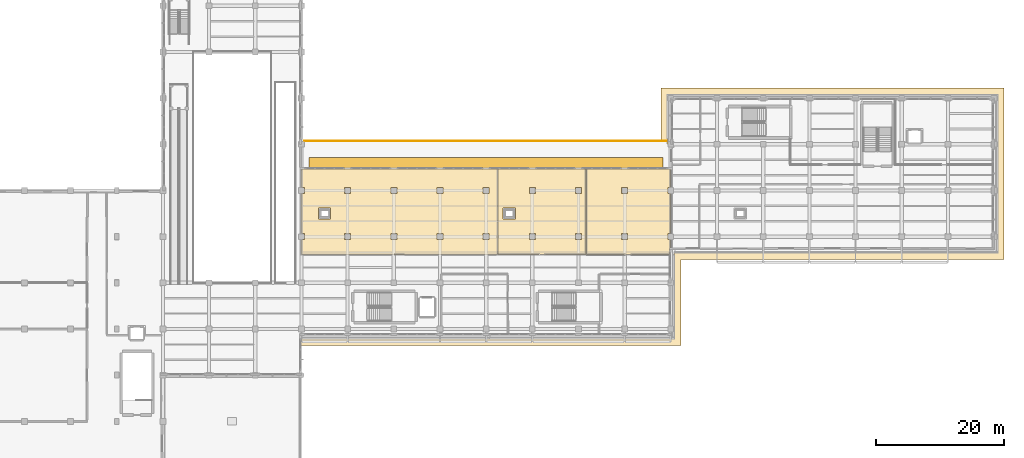
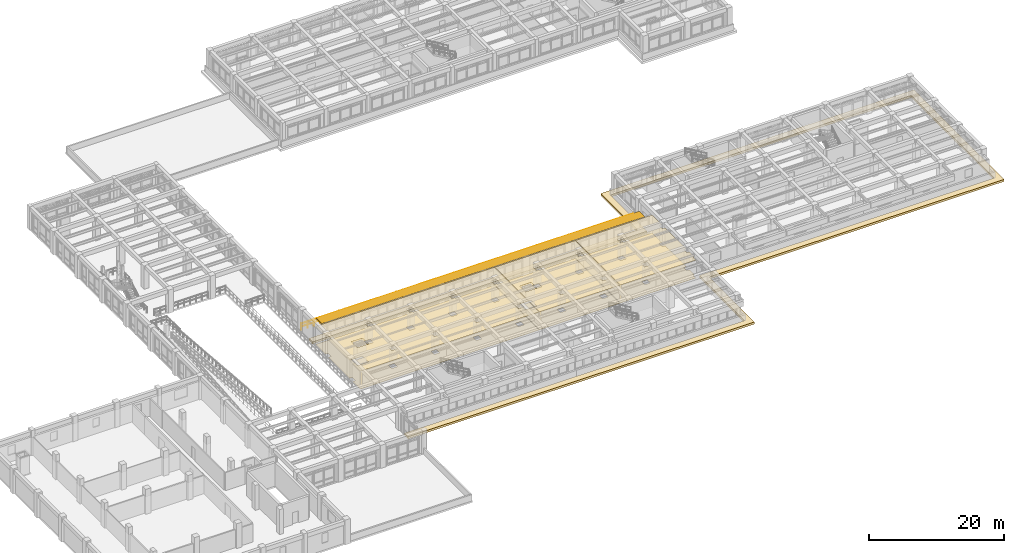
# One storey, part 62 of 69: 7 coverings, 1 railing, 1 shading device.
"""IFC4 building model written with IfcOpenShell, lengths in metres."""

from ifc_helpers import new_model, si_unit, direction, frame, origin, origin_2d, place, context, subcontext, project, spatial, polyline, rectangle, circle, outline, extrude, material, layer, layer_set, type_object, element, save


model = new_model("IFC4")

# Units and contexts
model_context = context("Model", 3, precision=1e-05, world=origin(), true_north=direction((0.0, 1.0)))
body_context = subcontext(model_context, "Body", "Model", "MODEL_VIEW")
ifc_project = project(units=[si_unit("LENGTHUNIT", "METRE"), si_unit("AREAUNIT", "SQUARE_METRE"), si_unit("VOLUMEUNIT", "CUBIC_METRE"), si_unit("PLANEANGLEUNIT", "RADIAN"), si_unit("MASSUNIT", "GRAM", prefix="KILO")], contexts=[model_context])

# Site, building, storey
site_placement = place(None, origin())
site = spatial("IfcSite", under=ifc_project, at=site_placement, CompositionType="ELEMENT")
building_placement = place(site_placement, origin())
building = spatial("IfcBuilding", under=site, at=building_placement, Name="Solenvale Faculty of Natural Sciences", CompositionType="ELEMENT")
storey_placement = place(building_placement, frame((0.0, 0.0, 4.5)))
storey = spatial("IfcBuildingStorey", under=building, at=storey_placement, Name="L01", CompositionType="ELEMENT", Elevation=4.5)

# Coverings
ifc_material_1 = material(Name="Acoustic mineral-timber ceiling", Category="wood")
ifc_layer_1 = layer(ifc_material_1, 0.02490234375)
ifc_layer_set_1 = layer_set([ifc_layer_1], Name="Acoustic mineral-timber ceiling")
covering_type_1 = type_object("IfcCoveringType", Name="COV-CEIL-AC25", PredefinedType="CEILING", material=ifc_layer_set_1)
covering_1_placement = place(storey_placement, frame((0.0, 0.0, 3.235107421875)))
element("IfcCovering", 1, at=covering_1_placement, inside=storey, type_object=covering_type_1, Name="L01 Microbiology Teaching Laboratory Acoustic Ceiling", PredefinedType="CEILING", context=body_context, shape_type="SweptSolid", body=[
    extrude(outline(polyline([(88.14990234375, 46.56005859375), (88.1708984375, 46.551025390625), (88.179931640625, 46.530029296875), (88.179931640625, 33.27001953125), (88.160888671875, 33.241943359375), (57.669921875, 33.239990234375), (57.64208984375, 33.259033203125), (57.64111328125, 35.5009765625), (57.6669921875, 35.52490234375), (58.06396484375, 35.52490234375), (58.074951171875, 35.535888671875), (58.073974609375, 36.468994140625), (57.6669921875, 36.47509765625), (57.639892578125, 36.5048828125), (57.639892578125, 42.697998046875), (57.6669921875, 42.72509765625), (58.06396484375, 42.72509765625), (58.074951171875, 42.736083984375), (58.073974609375, 43.6689453125), (57.6669921875, 43.675048828125), (57.639892578125, 43.701904296875), (57.639892578125, 46.530029296875), (57.658935546875, 46.55810546875), (88.14990234375, 46.56005859375)]), holes=[polyline([(85.93603515625, 36.47509765625), (85.925048828125, 36.464111328125), (85.927978515625, 35.528076171875), (86.8720703125, 35.528076171875), (86.8720703125, 36.471923828125), (85.93603515625, 36.47509765625)]), polyline([(85.93603515625, 43.675048828125), (85.925048828125, 43.6640625), (85.927978515625, 42.72802734375), (86.8720703125, 42.72802734375), (86.8720703125, 43.672119140625), (85.93603515625, 43.675048828125)]), polyline([(79.675048828125, 36.464111328125), (79.6640625, 36.47509765625), (78.72802734375, 36.471923828125), (78.72802734375, 35.528076171875), (79.672119140625, 35.528076171875), (79.675048828125, 36.464111328125)]), polyline([(79.675048828125, 43.6640625), (79.6640625, 43.675048828125), (78.72802734375, 43.672119140625), (78.72802734375, 42.72802734375), (79.672119140625, 42.72802734375), (79.675048828125, 43.6640625)]), polyline([(71.535888671875, 43.675048828125), (71.52490234375, 43.6640625), (71.528076171875, 42.72802734375), (72.471923828125, 42.72802734375), (72.471923828125, 43.672119140625), (71.535888671875, 43.675048828125)]), polyline([(72.47509765625, 36.464111328125), (72.464111328125, 36.47509765625), (71.528076171875, 36.471923828125), (71.528076171875, 35.528076171875), (72.471923828125, 35.528076171875), (72.47509765625, 36.464111328125)]), polyline([(64.3359375, 36.47509765625), (64.324951171875, 36.464111328125), (64.327880859375, 35.528076171875), (65.27197265625, 35.528076171875), (65.27197265625, 36.471923828125), (64.3359375, 36.47509765625)]), polyline([(64.3359375, 43.675048828125), (64.324951171875, 43.6640625), (64.327880859375, 42.72802734375), (65.27197265625, 42.72802734375), (65.27197265625, 43.672119140625), (64.3359375, 43.675048828125)]), polyline([(62.132080078125, 38.739990234375), (62.152099609375, 38.75), (62.159912109375, 38.77001953125), (62.159912109375, 40.429931640625), (62.14990234375, 40.451904296875), (60.27001953125, 40.4599609375), (60.248046875, 40.449951171875), (60.239990234375, 38.77001953125), (60.25, 38.748046875), (62.132080078125, 38.739990234375)])]), origin(), (0.0, 0.0, 1.0), 0.02490234375),
])
covering_2_placement = place(storey_placement, frame((0.0, 0.0, 3.235107421875)))
element("IfcCovering", 2, at=covering_2_placement, inside=storey, type_object=covering_type_1, Name="L01 Graduate Research Office Acoustic Ceiling", PredefinedType="CEILING", context=body_context, shape_type="SweptSolid", body=[
    extrude(outline(polyline([(101.949951171875, 46.56005859375), (101.970947265625, 46.551025390625), (101.97998046875, 46.530029296875), (101.97998046875, 33.27001953125), (101.970947265625, 33.2490234375), (101.949951171875, 33.239990234375), (88.27001953125, 33.239990234375), (88.2490234375, 33.2490234375), (88.239990234375, 33.27001953125), (88.239990234375, 46.530029296875), (88.2490234375, 46.551025390625), (88.27001953125, 46.56005859375), (101.949951171875, 46.56005859375)]), holes=[polyline([(101.27490234375, 36.464111328125), (101.263916015625, 36.47509765625), (100.327880859375, 36.471923828125), (100.327880859375, 35.528076171875), (101.27197265625, 35.528076171875), (101.27490234375, 36.464111328125)]), polyline([(101.27490234375, 43.6640625), (101.263916015625, 43.675048828125), (100.327880859375, 43.672119140625), (100.327880859375, 42.72802734375), (101.27197265625, 42.72802734375), (101.27490234375, 43.6640625)]), polyline([(94.074951171875, 36.464111328125), (94.06396484375, 36.47509765625), (93.1279296875, 36.471923828125), (93.1279296875, 35.528076171875), (94.072021484375, 35.528076171875), (94.074951171875, 36.464111328125)]), polyline([(94.074951171875, 43.6640625), (94.06396484375, 43.675048828125), (93.1279296875, 43.672119140625), (93.1279296875, 42.72802734375), (94.072021484375, 42.72802734375), (94.074951171875, 43.6640625)]), polyline([(90.931884765625, 38.739990234375), (90.951904296875, 38.75), (90.9599609375, 38.77001953125), (90.9599609375, 40.429931640625), (90.949951171875, 40.451904296875), (89.070068359375, 40.4599609375), (89.048095703125, 40.449951171875), (89.0400390625, 38.77001953125), (89.050048828125, 38.748046875), (90.931884765625, 38.739990234375)])]), origin(), (0.0, 0.0, 1.0), 0.02490234375),
])
covering_3_placement = place(storey_placement, frame((0.0, 0.0, 3.235107421875)))
element("IfcCovering", 3, at=covering_3_placement, inside=storey, type_object=covering_type_1, Name="L01 Seminar Room Acoustic Ceiling", PredefinedType="CEILING", context=body_context, shape_type="SweptSolid", body=[
    extrude(outline(polyline([(115.155029296875, 34.236083984375), (115.0869140625, 34.2119140625), (115.030029296875, 34.169921875), (114.988037109375, 34.113037109375), (114.965087890625, 34.047119140625), (114.9599609375, 33.27001953125), (114.93310546875, 33.239990234375), (102.070068359375, 33.239990234375), (102.049072265625, 33.2490234375), (102.0400390625, 33.27001953125), (102.0400390625, 46.530029296875), (102.049072265625, 46.551025390625), (102.070068359375, 46.56005859375), (115.1298828125, 46.56005859375), (115.15087890625, 46.551025390625), (115.159912109375, 46.530029296875), (115.159912109375, 44.199951171875), (115.179931640625, 44.15087890625), (115.179931640625, 43.701904296875), (115.153076171875, 43.675048828125), (114.72607421875, 43.6689453125), (114.72509765625, 42.736083984375), (114.736083984375, 42.72509765625), (115.153076171875, 42.72509765625), (115.179931640625, 42.697998046875), (115.179931640625, 36.5048828125), (115.153076171875, 36.47509765625), (114.72607421875, 36.468994140625), (114.72509765625, 35.535888671875), (114.736083984375, 35.52490234375), (115.153076171875, 35.52490234375), (115.178955078125, 35.50390625), (115.179931640625, 34.264892578125), (115.155029296875, 34.236083984375)]), holes=[polyline([(108.47509765625, 36.464111328125), (108.464111328125, 36.47509765625), (107.528076171875, 36.471923828125), (107.528076171875, 35.528076171875), (108.471923828125, 35.528076171875), (108.47509765625, 36.464111328125)]), polyline([(108.47509765625, 43.6640625), (108.464111328125, 43.675048828125), (107.528076171875, 43.672119140625), (107.528076171875, 42.72802734375), (108.471923828125, 42.72802734375), (108.47509765625, 43.6640625)])]), origin(), (0.0, 0.0, 1.0), 0.02490234375),
])
ifc_material_2 = material(Name="Polished slate terrazzo flooring", Category="masonry")
ifc_layer_2 = layer(ifc_material_2, 0.01806640625)
ifc_layer_set_2 = layer_set([ifc_layer_2], Name="Polished slate terrazzo flooring")
covering_type_2 = type_object("IfcCoveringType", Name="COV-FLR-TRZ18", PredefinedType="FLOORING", material=ifc_layer_set_2)
covering_4_placement = place(storey_placement, origin())
element("IfcCovering", 4, at=covering_4_placement, inside=storey, type_object=covering_type_2, Name="L01 Graduate Research Office Floor Finish", PredefinedType="FLOORING", context=body_context, shape_type="SweptSolid", body=[
    extrude(outline(polyline([(101.949951171875, 46.56005859375), (101.970947265625, 46.551025390625), (101.97998046875, 46.530029296875), (101.97998046875, 33.27001953125), (101.970947265625, 33.2490234375), (101.949951171875, 33.239990234375), (88.27001953125, 33.239990234375), (88.2490234375, 33.2490234375), (88.239990234375, 33.27001953125), (88.239990234375, 46.530029296875), (88.2490234375, 46.551025390625), (88.27001953125, 46.56005859375), (101.949951171875, 46.56005859375)]), holes=[polyline([(101.27490234375, 36.464111328125), (101.263916015625, 36.47509765625), (100.327880859375, 36.471923828125), (100.327880859375, 35.528076171875), (101.27197265625, 35.528076171875), (101.27490234375, 36.464111328125)]), polyline([(101.27490234375, 43.6640625), (101.263916015625, 43.675048828125), (100.327880859375, 43.672119140625), (100.327880859375, 42.72802734375), (101.27197265625, 42.72802734375), (101.27490234375, 43.6640625)]), polyline([(94.074951171875, 36.464111328125), (94.06396484375, 36.47509765625), (93.1279296875, 36.471923828125), (93.1279296875, 35.528076171875), (94.072021484375, 35.528076171875), (94.074951171875, 36.464111328125)]), polyline([(94.074951171875, 43.6640625), (94.06396484375, 43.675048828125), (93.1279296875, 43.672119140625), (93.1279296875, 42.72802734375), (94.072021484375, 42.72802734375), (94.074951171875, 43.6640625)]), polyline([(90.931884765625, 38.739990234375), (90.951904296875, 38.75), (90.9599609375, 38.77001953125), (90.9599609375, 40.429931640625), (90.949951171875, 40.451904296875), (89.070068359375, 40.4599609375), (89.048095703125, 40.449951171875), (89.0400390625, 38.77001953125), (89.050048828125, 38.748046875), (90.931884765625, 38.739990234375)])]), origin(), (0.0, 0.0, 1.0), 0.01806640625),
])
covering_5_placement = place(storey_placement, origin())
element("IfcCovering", 5, at=covering_5_placement, inside=storey, type_object=covering_type_2, Name="L01 Seminar Room Floor Finish", PredefinedType="FLOORING", context=body_context, shape_type="SweptSolid", body=[
    extrude(outline(polyline([(115.155029296875, 34.236083984375), (115.0869140625, 34.2119140625), (115.030029296875, 34.169921875), (114.988037109375, 34.113037109375), (114.965087890625, 34.047119140625), (114.9599609375, 33.27001953125), (114.93310546875, 33.239990234375), (102.070068359375, 33.239990234375), (102.049072265625, 33.2490234375), (102.0400390625, 33.27001953125), (102.0400390625, 46.530029296875), (102.049072265625, 46.551025390625), (102.070068359375, 46.56005859375), (115.1298828125, 46.56005859375), (115.15087890625, 46.551025390625), (115.159912109375, 46.530029296875), (115.159912109375, 44.199951171875), (115.179931640625, 44.15087890625), (115.179931640625, 43.701904296875), (115.153076171875, 43.675048828125), (114.72607421875, 43.6689453125), (114.72509765625, 42.736083984375), (114.736083984375, 42.72509765625), (115.153076171875, 42.72509765625), (115.179931640625, 42.697998046875), (115.179931640625, 36.5048828125), (115.153076171875, 36.47509765625), (114.72607421875, 36.468994140625), (114.72509765625, 35.535888671875), (114.736083984375, 35.52490234375), (115.153076171875, 35.52490234375), (115.178955078125, 35.50390625), (115.179931640625, 34.264892578125), (115.155029296875, 34.236083984375)]), holes=[polyline([(108.47509765625, 36.464111328125), (108.464111328125, 36.47509765625), (107.528076171875, 36.471923828125), (107.528076171875, 35.528076171875), (108.471923828125, 35.528076171875), (108.47509765625, 36.464111328125)]), polyline([(108.47509765625, 43.6640625), (108.464111328125, 43.675048828125), (107.528076171875, 43.672119140625), (107.528076171875, 42.72802734375), (108.471923828125, 42.72802734375), (108.47509765625, 43.6640625)])]), origin(), (0.0, 0.0, 1.0), 0.01806640625),
])
ifc_material_3 = material(Name="Seamless laboratory vinyl flooring")
ifc_layer_3 = layer(ifc_material_3, 0.008056640625)
ifc_layer_set_3 = layer_set([ifc_layer_3], Name="Seamless laboratory vinyl flooring")
covering_type_3 = type_object("IfcCoveringType", Name="COV-FLR-VNL08", PredefinedType="FLOORING", material=ifc_layer_set_3)
covering_6_placement = place(storey_placement, origin())
element("IfcCovering", 6, at=covering_6_placement, inside=storey, type_object=covering_type_3, Name="L01 Microbiology Teaching Laboratory Floor Finish", PredefinedType="FLOORING", context=body_context, shape_type="SweptSolid", body=[
    extrude(outline(polyline([(88.14990234375, 46.56005859375), (88.1708984375, 46.551025390625), (88.179931640625, 46.530029296875), (88.179931640625, 33.27001953125), (88.160888671875, 33.241943359375), (57.669921875, 33.239990234375), (57.64208984375, 33.259033203125), (57.64111328125, 35.5009765625), (57.6669921875, 35.52490234375), (58.06396484375, 35.52490234375), (58.074951171875, 35.535888671875), (58.073974609375, 36.468994140625), (57.6669921875, 36.47509765625), (57.639892578125, 36.5048828125), (57.639892578125, 42.697998046875), (57.6669921875, 42.72509765625), (58.06396484375, 42.72509765625), (58.074951171875, 42.736083984375), (58.073974609375, 43.6689453125), (57.6669921875, 43.675048828125), (57.639892578125, 43.701904296875), (57.639892578125, 46.530029296875), (57.658935546875, 46.55810546875), (88.14990234375, 46.56005859375)]), holes=[polyline([(85.93603515625, 36.47509765625), (85.925048828125, 36.464111328125), (85.927978515625, 35.528076171875), (86.8720703125, 35.528076171875), (86.8720703125, 36.471923828125), (85.93603515625, 36.47509765625)]), polyline([(85.93603515625, 43.675048828125), (85.925048828125, 43.6640625), (85.927978515625, 42.72802734375), (86.8720703125, 42.72802734375), (86.8720703125, 43.672119140625), (85.93603515625, 43.675048828125)]), polyline([(79.675048828125, 36.464111328125), (79.6640625, 36.47509765625), (78.72802734375, 36.471923828125), (78.72802734375, 35.528076171875), (79.672119140625, 35.528076171875), (79.675048828125, 36.464111328125)]), polyline([(79.675048828125, 43.6640625), (79.6640625, 43.675048828125), (78.72802734375, 43.672119140625), (78.72802734375, 42.72802734375), (79.672119140625, 42.72802734375), (79.675048828125, 43.6640625)]), polyline([(71.535888671875, 43.675048828125), (71.52490234375, 43.6640625), (71.528076171875, 42.72802734375), (72.471923828125, 42.72802734375), (72.471923828125, 43.672119140625), (71.535888671875, 43.675048828125)]), polyline([(72.47509765625, 36.464111328125), (72.464111328125, 36.47509765625), (71.528076171875, 36.471923828125), (71.528076171875, 35.528076171875), (72.471923828125, 35.528076171875), (72.47509765625, 36.464111328125)]), polyline([(64.3359375, 36.47509765625), (64.324951171875, 36.464111328125), (64.327880859375, 35.528076171875), (65.27197265625, 35.528076171875), (65.27197265625, 36.471923828125), (64.3359375, 36.47509765625)]), polyline([(64.3359375, 43.675048828125), (64.324951171875, 43.6640625), (64.327880859375, 42.72802734375), (65.27197265625, 42.72802734375), (65.27197265625, 43.672119140625), (64.3359375, 43.675048828125)]), polyline([(62.132080078125, 38.739990234375), (62.152099609375, 38.75), (62.159912109375, 38.77001953125), (62.159912109375, 40.429931640625), (62.14990234375, 40.451904296875), (60.27001953125, 40.4599609375), (60.248046875, 40.449951171875), (60.239990234375, 38.77001953125), (60.25, 38.748046875), (62.132080078125, 38.739990234375)])]), origin(), (0.0, 0.0, 1.0), 0.008056640625),
])
ifc_material_4 = material(Name="Insulated EPDM roofing membrane")
ifc_layer_4 = layer(ifc_material_4, 0.06494140625)
ifc_layer_set_4 = layer_set([ifc_layer_4], Name="Insulated EPDM roofing membrane")
covering_type_4 = type_object("IfcCoveringType", Name="COV-ROOF-MEMB", PredefinedType="ROOFING", material=ifc_layer_set_4)
covering_7_placement = place(storey_placement, frame((0.0, 0.0, -0.340087890625)))
element("IfcCovering", 7, at=covering_7_placement, inside=storey, type_object=covering_type_4, Name="L01 Projecting Horizontal Bronze Concrete Tray Ledge 1", PredefinedType="CLADDING", context=body_context, shape_type="SweptSolid", body=[
    extrude(outline(polyline([(113.64990234375, 48.35009765625), (113.64990234375, 59.1298828125), (113.666015625, 59.14990234375), (167.135986328125, 59.14892578125), (167.14990234375, 59.1298828125), (167.14892578125, 32.464111328125), (167.1298828125, 32.449951171875), (116.75, 32.449951171875), (116.75, 19.070068359375), (116.7451171875, 19.056884765625), (116.73193359375, 19.050048828125), (57.570068359375, 19.050048828125), (57.552001953125, 19.06103515625), (57.550048828125, 20.10009765625), (57.555908203125, 20.114013671875), (57.570068359375, 20.1201171875), (115.679931640625, 20.1201171875), (115.679931640625, 33.5), (115.68505859375, 33.512939453125), (115.697998046875, 33.52001953125), (166.080078125, 33.52001953125), (166.080078125, 58.080078125), (114.719970703125, 58.080078125), (114.719970703125, 47.300048828125), (114.715087890625, 47.287109375), (114.701904296875, 47.280029296875), (57.570068359375, 47.280029296875), (57.555908203125, 47.285888671875), (57.550048828125, 47.300048828125), (57.550048828125, 48.330078125), (57.555908203125, 48.343994140625), (57.570068359375, 48.35009765625), (113.64990234375, 48.35009765625)])), origin(), (0.0, 0.0, 1.0), 0.380126953125),
])

# Railing
ifc_material_5 = material(Name="Stainless steel Grade 304", Category="steel")
railing_type = type_object("IfcRailingType", Name="RL-TERR-1100", PredefinedType="GUARDRAIL", material=ifc_material_5)
railing_placement = place(storey_placement, frame((57.719970703125, 50.919921875, 0.0)))
element("IfcRailing", 8, at=railing_placement, inside=storey, type_object=railing_type, Name="L01 Terrace Guardrail 1.4", PredefinedType="GUARDRAIL", context=body_context, shape_type="SweptSolid", body=[
    extrude(circle(Radius=0.02392578125, at=origin_2d()), frame((0.0, 0.0, 1.09619140625), z_axis=(1.0, 0.0, 0.0), x_axis=(0.0, 1.0, 0.0)), (0.0, 0.0, 1.0), 56.719970703125),
    extrude(circle(Radius=0.01611328125, at=origin_2d()), frame((0.0, 0.0, 0.56005859375), z_axis=(1.0, 0.0, 0.0), x_axis=(0.0, 1.0, 0.0)), (0.0, 0.0, 1.0), 56.719970703125),
    extrude(circle(Radius=0.02099609375, at=origin_2d()), origin(), (0.0, 0.0, 1.0), 1.072021484375),
    extrude(circle(Radius=0.02099609375, at=origin_2d()), frame((1.0908203125, 0.0, 0.0)), (0.0, 0.0, 1.0), 1.072021484375),
    extrude(circle(Radius=0.02099609375, at=origin_2d()), frame((2.181640625, 0.0, 0.0)), (0.0, 0.0, 1.0), 1.072021484375),
    extrude(circle(Radius=0.02099609375, at=origin_2d()), frame((3.272216796875, 0.0, 0.0)), (0.0, 0.0, 1.0), 1.072021484375),
    extrude(circle(Radius=0.02099609375, at=origin_2d()), frame((4.363037109375, 0.0, 0.0)), (0.0, 0.0, 1.0), 1.072021484375),
    extrude(circle(Radius=0.02099609375, at=origin_2d()), frame((5.453857421875, 0.0, 0.0)), (0.0, 0.0, 1.0), 1.072021484375),
    extrude(circle(Radius=0.02099609375, at=origin_2d()), frame((6.544677734375, 0.0, 0.0)), (0.0, 0.0, 1.0), 1.072021484375),
    extrude(circle(Radius=0.02099609375, at=origin_2d()), frame((7.635498046875, 0.0, 0.0)), (0.0, 0.0, 1.0), 1.072021484375),
    extrude(circle(Radius=0.02099609375, at=origin_2d()), frame((8.72607421875, 0.0, 0.0)), (0.0, 0.0, 1.0), 1.072021484375),
    extrude(circle(Radius=0.02099609375, at=origin_2d()), frame((9.81689453125, 0.0, 0.0)), (0.0, 0.0, 1.0), 1.072021484375),
    extrude(circle(Radius=0.02099609375, at=origin_2d()), frame((10.90771484375, 0.0, 0.0)), (0.0, 0.0, 1.0), 1.072021484375),
    extrude(circle(Radius=0.02099609375, at=origin_2d()), frame((11.99853515625, 0.0, 0.0)), (0.0, 0.0, 1.0), 1.072021484375),
    extrude(circle(Radius=0.02099609375, at=origin_2d()), frame((13.089111328125, 0.0, 0.0)), (0.0, 0.0, 1.0), 1.072021484375),
    extrude(circle(Radius=0.02099609375, at=origin_2d()), frame((14.179931640625, 0.0, 0.0)), (0.0, 0.0, 1.0), 1.072021484375),
    extrude(circle(Radius=0.02099609375, at=origin_2d()), frame((15.270751953125, 0.0, 0.0)), (0.0, 0.0, 1.0), 1.072021484375),
    extrude(circle(Radius=0.02099609375, at=origin_2d()), frame((16.361572265625, 0.0, 0.0)), (0.0, 0.0, 1.0), 1.072021484375),
    extrude(circle(Radius=0.02099609375, at=origin_2d()), frame((17.452392578125, 0.0, 0.0)), (0.0, 0.0, 1.0), 1.072021484375),
    extrude(circle(Radius=0.02099609375, at=origin_2d()), frame((18.54296875, 0.0, 0.0)), (0.0, 0.0, 1.0), 1.072021484375),
    extrude(circle(Radius=0.02099609375, at=origin_2d()), frame((19.6337890625, 0.0, 0.0)), (0.0, 0.0, 1.0), 1.072021484375),
    extrude(circle(Radius=0.02099609375, at=origin_2d()), frame((20.724609375, 0.0, 0.0)), (0.0, 0.0, 1.0), 1.072021484375),
    extrude(circle(Radius=0.02099609375, at=origin_2d()), frame((21.8154296875, 0.0, 0.0)), (0.0, 0.0, 1.0), 1.072021484375),
    extrude(circle(Radius=0.02099609375, at=origin_2d()), frame((22.90625, 0.0, 0.0)), (0.0, 0.0, 1.0), 1.072021484375),
    extrude(circle(Radius=0.02099609375, at=origin_2d()), frame((23.996826171875, 0.0, 0.0)), (0.0, 0.0, 1.0), 1.072021484375),
    extrude(circle(Radius=0.02099609375, at=origin_2d()), frame((25.087646484375, 0.0, 0.0)), (0.0, 0.0, 1.0), 1.072021484375),
    extrude(circle(Radius=0.02099609375, at=origin_2d()), frame((26.178466796875, 0.0, 0.0)), (0.0, 0.0, 1.0), 1.072021484375),
    extrude(circle(Radius=0.02099609375, at=origin_2d()), frame((27.269287109375, 0.0, 0.0)), (0.0, 0.0, 1.0), 1.072021484375),
    extrude(circle(Radius=0.02099609375, at=origin_2d()), frame((28.35986328125, 0.0, 0.0)), (0.0, 0.0, 1.0), 1.072021484375),
    extrude(circle(Radius=0.02099609375, at=origin_2d()), frame((29.45068359375, 0.0, 0.0)), (0.0, 0.0, 1.0), 1.072021484375),
    extrude(circle(Radius=0.02099609375, at=origin_2d()), frame((30.54150390625, 0.0, 0.0)), (0.0, 0.0, 1.0), 1.072021484375),
    extrude(circle(Radius=0.02099609375, at=origin_2d()), frame((31.63232421875, 0.0, 0.0)), (0.0, 0.0, 1.0), 1.072021484375),
    extrude(circle(Radius=0.02099609375, at=origin_2d()), frame((32.72314453125, 0.0, 0.0)), (0.0, 0.0, 1.0), 1.072021484375),
    extrude(circle(Radius=0.02099609375, at=origin_2d()), frame((33.813720703125, 0.0, 0.0)), (0.0, 0.0, 1.0), 1.072021484375),
    extrude(circle(Radius=0.02099609375, at=origin_2d()), frame((34.904541015625, 0.0, 0.0)), (0.0, 0.0, 1.0), 1.072021484375),
    extrude(circle(Radius=0.02099609375, at=origin_2d()), frame((35.995361328125, 0.0, 0.0)), (0.0, 0.0, 1.0), 1.072021484375),
    extrude(circle(Radius=0.02099609375, at=origin_2d()), frame((37.086181640625, 0.0, 0.0)), (0.0, 0.0, 1.0), 1.072021484375),
    extrude(circle(Radius=0.02099609375, at=origin_2d()), frame((38.177001953125, 0.0, 0.0)), (0.0, 0.0, 1.0), 1.072021484375),
    extrude(circle(Radius=0.02099609375, at=origin_2d()), frame((39.267578125, 0.0, 0.0)), (0.0, 0.0, 1.0), 1.072021484375),
    extrude(circle(Radius=0.02099609375, at=origin_2d()), frame((40.3583984375, 0.0, 0.0)), (0.0, 0.0, 1.0), 1.072021484375),
    extrude(circle(Radius=0.02099609375, at=origin_2d()), frame((41.44921875, 0.0, 0.0)), (0.0, 0.0, 1.0), 1.072021484375),
    extrude(circle(Radius=0.02099609375, at=origin_2d()), frame((42.5400390625, 0.0, 0.0)), (0.0, 0.0, 1.0), 1.072021484375),
    extrude(circle(Radius=0.02099609375, at=origin_2d()), frame((43.630859375, 0.0, 0.0)), (0.0, 0.0, 1.0), 1.072021484375),
    extrude(circle(Radius=0.02099609375, at=origin_2d()), frame((44.721435546875, 0.0, 0.0)), (0.0, 0.0, 1.0), 1.072021484375),
    extrude(circle(Radius=0.02099609375, at=origin_2d()), frame((45.812255859375, 0.0, 0.0)), (0.0, 0.0, 1.0), 1.072021484375),
    extrude(circle(Radius=0.02099609375, at=origin_2d()), frame((46.903076171875, 0.0, 0.0)), (0.0, 0.0, 1.0), 1.072021484375),
    extrude(circle(Radius=0.02099609375, at=origin_2d()), frame((47.993896484375, 0.0, 0.0)), (0.0, 0.0, 1.0), 1.072021484375),
    extrude(circle(Radius=0.02099609375, at=origin_2d()), frame((49.08447265625, 0.0, 0.0)), (0.0, 0.0, 1.0), 1.072021484375),
    extrude(circle(Radius=0.02099609375, at=origin_2d()), frame((50.17529296875, 0.0, 0.0)), (0.0, 0.0, 1.0), 1.072021484375),
    extrude(circle(Radius=0.02099609375, at=origin_2d()), frame((51.26611328125, 0.0, 0.0)), (0.0, 0.0, 1.0), 1.072021484375),
    extrude(circle(Radius=0.02099609375, at=origin_2d()), frame((52.35693359375, 0.0, 0.0)), (0.0, 0.0, 1.0), 1.072021484375),
    extrude(circle(Radius=0.02099609375, at=origin_2d()), frame((53.44775390625, 0.0, 0.0)), (0.0, 0.0, 1.0), 1.072021484375),
    extrude(circle(Radius=0.02099609375, at=origin_2d()), frame((54.538330078125, 0.0, 0.0)), (0.0, 0.0, 1.0), 1.072021484375),
    extrude(circle(Radius=0.02099609375, at=origin_2d()), frame((55.629150390625, 0.0, 0.0)), (0.0, 0.0, 1.0), 1.072021484375),
    extrude(circle(Radius=0.02099609375, at=origin_2d()), frame((56.719970703125, 0.0, 0.0)), (0.0, 0.0, 1.0), 1.072021484375),
])

# Shading device
ifc_material_6 = material(Name="Anodised bronze aluminium", Category="aluminium")
shading_device_type = type_object("IfcShadingDeviceType", Name="SHD-LVR-1800x1200", PredefinedType="JALOUSIE", material=ifc_material_6)
shading_device_placement = place(storey_placement, frame((86.39990234375, 47.550048828125, 3.0), z_axis=(0.0, 0.0, 1.0), x_axis=(1.0, 0.0, 0.0)))
element("IfcShadingDevice", 9, at=shading_device_placement, inside=storey, type_object=shading_device_type, Name="L01 Shaded Terrace Overhang Canopy 1", PredefinedType="JALOUSIE", context=body_context, shape_type="SweptSolid", body=[
    extrude(rectangle(XDim=55.199951171875, YDim=1.64990234375, at=origin_2d()), origin(), (0.0, 0.0, 1.0), 0.239990234375),
])

save(model, "model.ifc")
